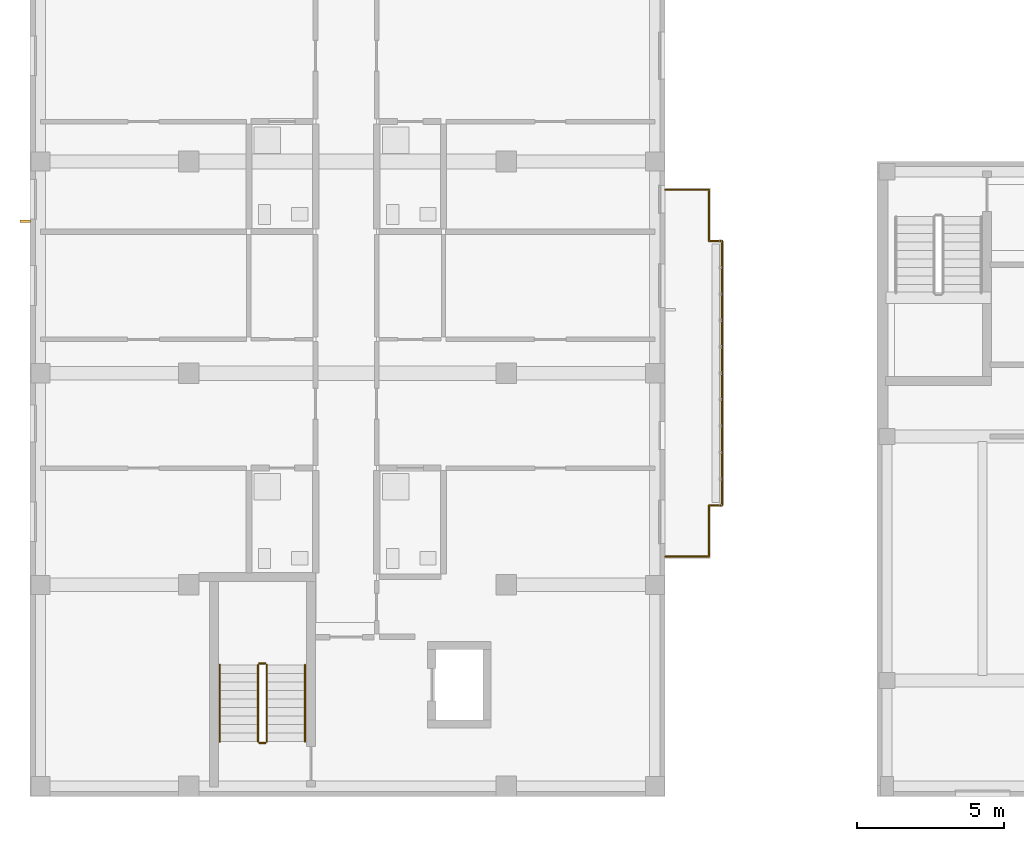
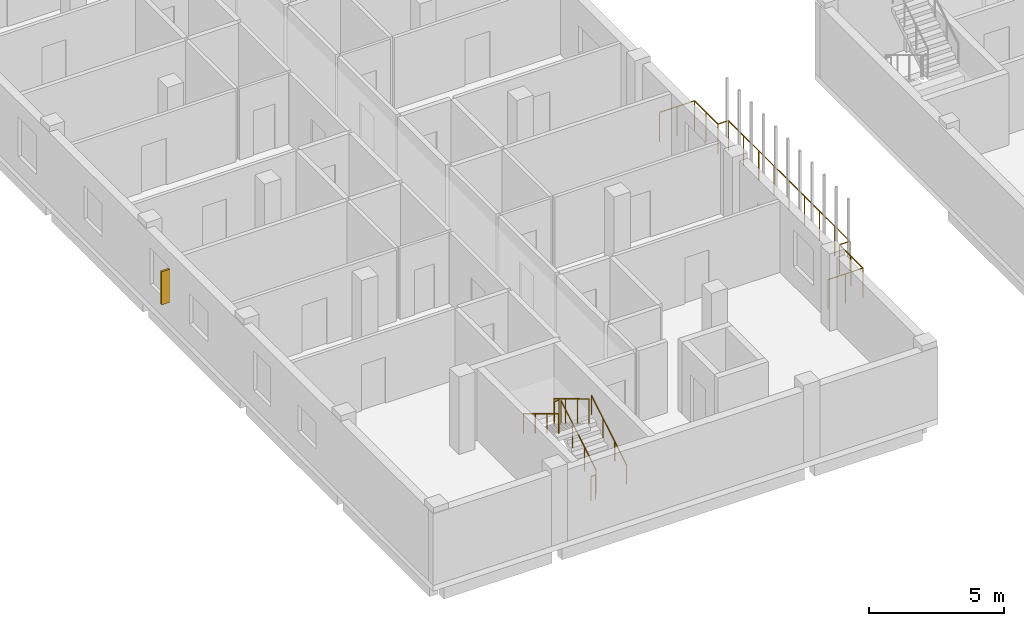
# One storey, part 58 of 73: 7 railings, 1 shading device.
"""IFC4 building model written with IfcOpenShell, lengths in metres."""

from ifc_helpers import new_model, si_unit, derived_unit, direction, frame, origin, origin_2d, place, context, subcontext, project, spatial, rectangle, circle, extrude, material, type_object, element, save


model = new_model("IFC4")

# Units and contexts
model_context = context("Model", 3, precision=1e-05, world=origin(), true_north=direction((0.0, 1.0)))
body_context = subcontext(model_context, "Body", "Model", "MODEL_VIEW")
ifc_project = project(units=[si_unit("LENGTHUNIT", "METRE"), si_unit("AREAUNIT", "SQUARE_METRE"), si_unit("VOLUMEUNIT", "CUBIC_METRE"), si_unit("PLANEANGLEUNIT", "RADIAN"), si_unit("MASSUNIT", "GRAM", prefix="KILO"), derived_unit("THERMALTRANSMITTANCEUNIT", [(si_unit("MASSUNIT", "GRAM", prefix="KILO"), 1), (si_unit("TIMEUNIT", "SECOND"), -3), (si_unit("THERMODYNAMICTEMPERATUREUNIT", "KELVIN"), -1)])], contexts=[model_context])

# Site, building, storey
site_placement = place(None, origin())
site = spatial("IfcSite", under=ifc_project, at=site_placement, CompositionType="ELEMENT")
building_placement = place(site_placement, origin())
building = spatial("IfcBuilding", under=site, at=building_placement, Name="Ochrekiln Boulevard Commons", CompositionType="ELEMENT")
storey_placement = place(building_placement, frame((0.0, 0.0, 8.574951171875)))
storey = spatial("IfcBuildingStorey", under=building, at=storey_placement, Name="L02", CompositionType="ELEMENT", Elevation=8.574951171875)

# Railings
ifc_material_1 = material(Name="Bronze-anodized extruded aluminium 6063-T6", Category="aluminium")
railing_type_1 = type_object("IfcRailingType", Name="RLG-BAL-1350", PredefinedType="BALUSTRADE", material=ifc_material_1)
railing_1_placement = place(storey_placement, frame((21.60009765625, 8.159912109375, 0.0)))
element("IfcRailing", 1, at=railing_1_placement, inside=storey, type_object=railing_type_1, Name="Block D L02 Balcony Guard Balustrade 1", PredefinedType="BALUSTRADE", context=body_context, shape_type="SweptSolid", body=[
    extrude(circle(Radius=0.02392578125, at=origin_2d()), frame((0.0, 0.0, 1.326171875), z_axis=(1.0, 0.0, 0.0), x_axis=(0.0, 1.0, 0.0)), (0.0, 0.0, 1.0), 1.489990234375),
    extrude(circle(Radius=0.02392578125, at=origin_2d()), frame((1.489990234375, 0.0, 1.326171875), z_axis=(0.0, 1.0, 0.0), x_axis=(-1.0, 0.0, 0.0)), (0.0, 0.0, 1.0), 1.739990234375),
    extrude(circle(Radius=0.02392578125, at=origin_2d()), frame((1.489990234375, 1.739990234375, 1.326171875), z_axis=(1.0, 0.0, 0.0), x_axis=(0.0, 1.0, 0.0)), (0.0, 0.0, 1.0), 0.449951171875),
    extrude(circle(Radius=0.02392578125, at=origin_2d()), frame((1.93994140625, 1.739990234375, 1.326171875), z_axis=(0.0, 1.0, 0.0), x_axis=(-1.0, 0.0, 0.0)), (0.0, 0.0, 1.0), 9.0),
    extrude(circle(Radius=0.02392578125, at=origin_2d()), frame((1.93994140625, 10.739990234375, 1.326171875), z_axis=(-1.0, 0.0, 0.0), x_axis=(0.0, -1.0, 0.0)), (0.0, 0.0, 1.0), 0.449951171875),
    extrude(circle(Radius=0.02392578125, at=origin_2d()), frame((1.489990234375, 10.739990234375, 1.326171875), z_axis=(0.0, 1.0, 0.0), x_axis=(-1.0, 0.0, 0.0)), (0.0, 0.0, 1.0), 1.739990234375),
    extrude(circle(Radius=0.02392578125, at=origin_2d()), frame((1.489990234375, 12.47998046875, 1.326171875), z_axis=(-1.0, 0.0, 0.0), x_axis=(0.0, -1.0, 0.0)), (0.0, 0.0, 1.0), 1.489990234375),
    extrude(circle(Radius=0.02099609375, at=origin_2d()), origin(), (0.0, 0.0, 1.0), 1.302001953125),
    extrude(circle(Radius=0.02099609375, at=origin_2d()), frame((0.7451171875, 0.0, 0.0)), (0.0, 0.0, 1.0), 1.302001953125),
    extrude(circle(Radius=0.02099609375, at=origin_2d()), frame((1.489990234375, 0.0, 0.0)), (0.0, 0.0, 1.0), 1.302001953125),
    extrude(circle(Radius=0.02099609375, at=origin_2d()), frame((1.489990234375, 0.8701171875, 0.0)), (0.0, 0.0, 1.0), 1.302001953125),
    extrude(circle(Radius=0.02099609375, at=origin_2d()), frame((1.489990234375, 1.739990234375, 0.0)), (0.0, 0.0, 1.0), 1.302001953125),
    extrude(circle(Radius=0.02099609375, at=origin_2d()), frame((1.93994140625, 1.739990234375, 0.0)), (0.0, 0.0, 1.0), 1.302001953125),
    extrude(circle(Radius=0.02099609375, at=origin_2d()), frame((1.93994140625, 2.864990234375, 0.0)), (0.0, 0.0, 1.0), 1.302001953125),
    extrude(circle(Radius=0.02099609375, at=origin_2d()), frame((1.93994140625, 3.989990234375, 0.0)), (0.0, 0.0, 1.0), 1.302001953125),
    extrude(circle(Radius=0.02099609375, at=origin_2d()), frame((1.93994140625, 5.114990234375, 0.0)), (0.0, 0.0, 1.0), 1.302001953125),
    extrude(circle(Radius=0.02099609375, at=origin_2d()), frame((1.93994140625, 6.239990234375, 0.0)), (0.0, 0.0, 1.0), 1.302001953125),
    extrude(circle(Radius=0.02099609375, at=origin_2d()), frame((1.93994140625, 7.364990234375, 0.0)), (0.0, 0.0, 1.0), 1.302001953125),
    extrude(circle(Radius=0.02099609375, at=origin_2d()), frame((1.93994140625, 8.489990234375, 0.0)), (0.0, 0.0, 1.0), 1.302001953125),
    extrude(circle(Radius=0.02099609375, at=origin_2d()), frame((1.93994140625, 9.614990234375, 0.0)), (0.0, 0.0, 1.0), 1.302001953125),
    extrude(circle(Radius=0.02099609375, at=origin_2d()), frame((1.93994140625, 10.739990234375, 0.0)), (0.0, 0.0, 1.0), 1.302001953125),
    extrude(circle(Radius=0.02099609375, at=origin_2d()), frame((1.489990234375, 10.739990234375, 0.0)), (0.0, 0.0, 1.0), 1.302001953125),
    extrude(circle(Radius=0.02099609375, at=origin_2d()), frame((1.489990234375, 11.60986328125, 0.0)), (0.0, 0.0, 1.0), 1.302001953125),
    extrude(circle(Radius=0.02099609375, at=origin_2d()), frame((1.489990234375, 12.47998046875, 0.0)), (0.0, 0.0, 1.0), 1.302001953125),
    extrude(circle(Radius=0.02099609375, at=origin_2d()), frame((0.7451171875, 12.47998046875, 0.0)), (0.0, 0.0, 1.0), 1.302001953125),
    extrude(circle(Radius=0.02099609375, at=origin_2d()), frame((0.0, 12.47998046875, 0.0)), (0.0, 0.0, 1.0), 1.302001953125),
])
ifc_material_2 = material(Name="Brushed stainless steel 316 tubular railing", Category="steel")
railing_type_2 = type_object("IfcRailingType", Name="RLG-HDR-900", PredefinedType="HANDRAIL", material=ifc_material_2)
railing_2_placement = place(storey_placement, frame((9.35009765625, 1.8701171875, 0.175048828125)))
element("IfcRailing", 2, at=railing_2_placement, inside=storey, type_object=railing_type_2, Name="L02 ST-D1 stair handrail 1", PredefinedType="HANDRAIL", context=body_context, shape_type="SweptSolid", body=[
    extrude(circle(Radius=0.02392578125, at=origin_2d()), frame((0.0, 0.0, 0.8759765625), z_axis=(0.0, 0.85618277418, 0.516673066065), x_axis=(-1.0, 0.0, 0.0)), (0.0, 0.0, 1.0), 3.04833984375),
    extrude(circle(Radius=0.02099609375, at=origin_2d()), origin(), (0.0, 0.0, 1.0), 0.851806640625),
    extrude(circle(Radius=0.02099609375, at=origin_2d()), frame((0.0, 0.869873046875, 0.52490234375)), (0.0, 0.0, 1.0), 0.851806640625),
    extrude(circle(Radius=0.02099609375, at=origin_2d()), frame((0.0, 1.739990234375, 1.050048828125)), (0.0, 0.0, 1.0), 0.851806640625),
    extrude(circle(Radius=0.02099609375, at=origin_2d()), frame((0.0, 2.60986328125, 1.574951171875)), (0.0, 0.0, 1.0), 0.851806640625),
])
railing_3_placement = place(storey_placement, frame((6.449951171875, 4.47998046875, 1.925048828125)))
element("IfcRailing", 3, at=railing_3_placement, inside=storey, type_object=railing_type_2, Name="L02 ST-D1 stair handrail 2", PredefinedType="HANDRAIL", context=body_context, shape_type="SweptSolid", body=[
    extrude(circle(Radius=0.02392578125, at=origin_2d()), frame((0.0, 0.0, 0.8759765625), z_axis=(0.0, -0.85618277418, 0.516673066065), x_axis=(1.0, 0.0, 0.0)), (0.0, 0.0, 1.0), 3.04833984375),
    extrude(circle(Radius=0.02099609375, at=origin_2d()), origin(), (0.0, 0.0, 1.0), 0.851806640625),
    extrude(circle(Radius=0.02099609375, at=origin_2d()), frame((0.0, -0.869873046875, 0.52490234375)), (0.0, 0.0, 1.0), 0.851806640625),
    extrude(circle(Radius=0.02099609375, at=origin_2d()), frame((0.0, -1.739990234375, 1.050048828125)), (0.0, 0.0, 1.0), 0.851806640625),
    extrude(circle(Radius=0.02099609375, at=origin_2d()), frame((0.0, -2.60986328125, 1.574951171875)), (0.0, 0.0, 1.0), 0.851806640625),
])
railing_type_3 = type_object("IfcRailingType", Name="RLG-STR-1120", PredefinedType="BALUSTRADE", material=ifc_material_2)
railing_4_placement = place(storey_placement, frame((8.050048828125, 1.8701171875, 0.175048828125)))
element("IfcRailing", 4, at=railing_4_placement, inside=storey, type_object=railing_type_3, Name="L02 ST-D1 stair guard 1", PredefinedType="BALUSTRADE", context=body_context, shape_type="SweptSolid", body=[
    extrude(circle(Radius=0.02392578125, at=origin_2d()), frame((0.0, 0.0, 1.09619140625), z_axis=(0.0, 0.85618277418, 0.516673066065), x_axis=(-1.0, 0.0, 0.0)), (0.0, 0.0, 1.0), 3.04833984375),
    extrude(circle(Radius=0.02099609375, at=origin_2d()), origin(), (0.0, 0.0, 1.0), 1.072021484375),
    extrude(circle(Radius=0.02099609375, at=origin_2d()), frame((0.0, 0.869873046875, 0.52490234375)), (0.0, 0.0, 1.0), 1.072021484375),
    extrude(circle(Radius=0.02099609375, at=origin_2d()), frame((0.0, 1.739990234375, 1.050048828125)), (0.0, 0.0, 1.0), 1.072021484375),
    extrude(circle(Radius=0.02099609375, at=origin_2d()), frame((0.0, 2.60986328125, 1.574951171875)), (0.0, 0.0, 1.0), 1.072021484375),
])
railing_5_placement = place(storey_placement, frame((8.0, 4.530029296875, 1.75)))
element("IfcRailing", 5, at=railing_5_placement, inside=storey, type_object=railing_type_3, Name="L02 ST-D1 stair guard 2", PredefinedType="BALUSTRADE", context=body_context, shape_type="SweptSolid", body=[
    extrude(circle(Radius=0.02392578125, at=origin_2d()), frame((0.0, 0.0, 1.09619140625), z_axis=(-1.0, 0.0, 0.0), x_axis=(0.0, -1.0, 0.0)), (0.0, 0.0, 1.0), 0.199951171875),
    extrude(circle(Radius=0.02099609375, at=origin_2d()), origin(), (0.0, 0.0, 1.0), 1.072021484375),
    extrude(circle(Radius=0.02099609375, at=origin_2d()), frame((-0.199951171875, 0.0, 0.0)), (0.0, 0.0, 1.0), 1.072021484375),
])
railing_6_placement = place(storey_placement, frame((7.75, 4.47998046875, 1.925048828125)))
element("IfcRailing", 6, at=railing_6_placement, inside=storey, type_object=railing_type_3, Name="L02 ST-D1 stair guard 3", PredefinedType="BALUSTRADE", context=body_context, shape_type="SweptSolid", body=[
    extrude(circle(Radius=0.02392578125, at=origin_2d()), frame((0.0, 0.0, 1.09619140625), z_axis=(0.0, -0.85618277418, 0.516673066065), x_axis=(1.0, 0.0, 0.0)), (0.0, 0.0, 1.0), 3.04833984375),
    extrude(circle(Radius=0.02099609375, at=origin_2d()), origin(), (0.0, 0.0, 1.0), 1.072021484375),
    extrude(circle(Radius=0.02099609375, at=origin_2d()), frame((0.0, -0.869873046875, 0.52490234375)), (0.0, 0.0, 1.0), 1.072021484375),
    extrude(circle(Radius=0.02099609375, at=origin_2d()), frame((0.0, -1.739990234375, 1.050048828125)), (0.0, 0.0, 1.0), 1.072021484375),
    extrude(circle(Radius=0.02099609375, at=origin_2d()), frame((0.0, -2.60986328125, 1.574951171875)), (0.0, 0.0, 1.0), 1.072021484375),
])
railing_7_placement = place(storey_placement, frame((8.0, 1.820068359375, 0.0)))
element("IfcRailing", 7, at=railing_7_placement, inside=storey, type_object=railing_type_3, Name="L02 ST-D1 stair guard 4", PredefinedType="BALUSTRADE", context=body_context, shape_type="SweptSolid", body=[
    extrude(circle(Radius=0.02392578125, at=origin_2d()), frame((0.0, 0.0, 1.09619140625), z_axis=(-1.0, 0.0, 0.0), x_axis=(0.0, -1.0, 0.0)), (0.0, 0.0, 1.0), 0.199951171875),
    extrude(circle(Radius=0.02099609375, at=origin_2d()), origin(), (0.0, 0.0, 1.0), 1.072021484375),
    extrude(circle(Radius=0.02099609375, at=origin_2d()), frame((-0.199951171875, 0.0, 0.0)), (0.0, 0.0, 1.0), 1.072021484375),
])

# Shading device
ifc_material_3 = material(Name="Glazed architectural terracotta ASTM C1405", Category="masonry")
shading_device_type = type_object("IfcShadingDeviceType", Name="SHD-FIN-TERRA", PredefinedType="JALOUSIE", material=ifc_material_3)
shading_device_placement = place(storey_placement, frame((-0.169921875, 19.56298828125, 0.97509765625), z_axis=(0.0, 0.0, 1.0), x_axis=(1.0, 0.0, 0.0)))
element("IfcShadingDevice", 8, at=shading_device_placement, inside=storey, type_object=shading_device_type, Name="Terracotta Solar Shading Fin SF-01 (74)", PredefinedType="JALOUSIE", context=body_context, shape_type="SweptSolid", body=[
    extrude(rectangle(XDim=0.35009765625, YDim=0.080078125, at=origin_2d()), origin(), (0.0, 0.0, 1.0), 1.5),
])

save(model, "model.ifc")
